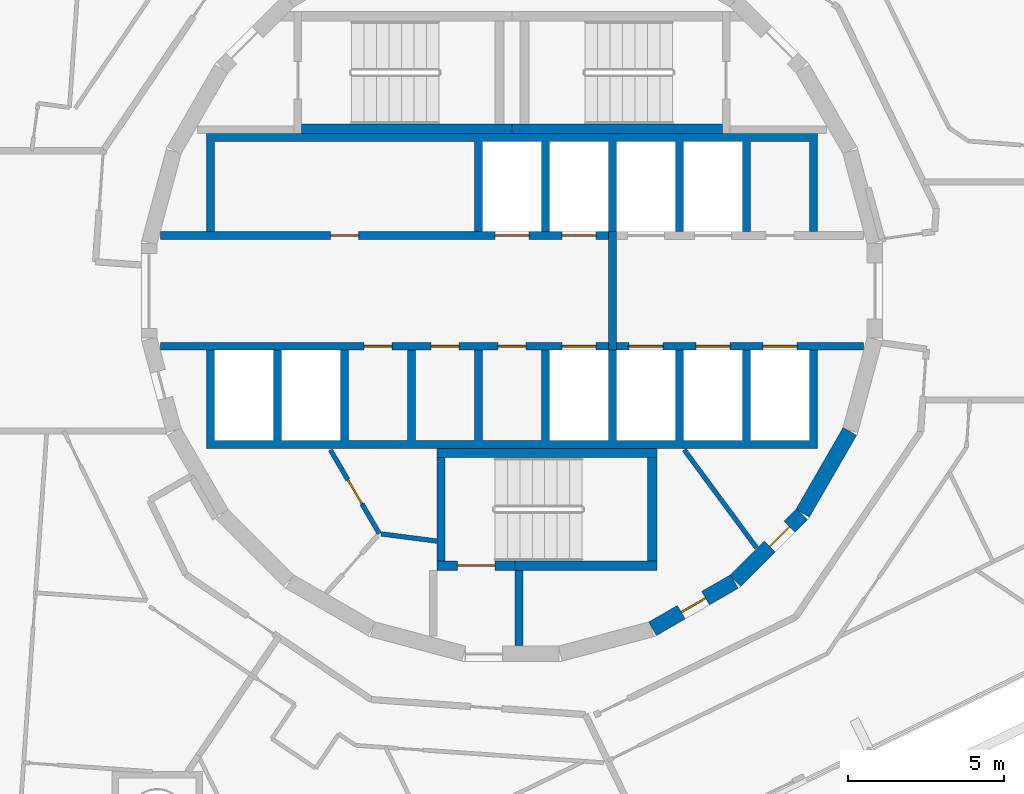
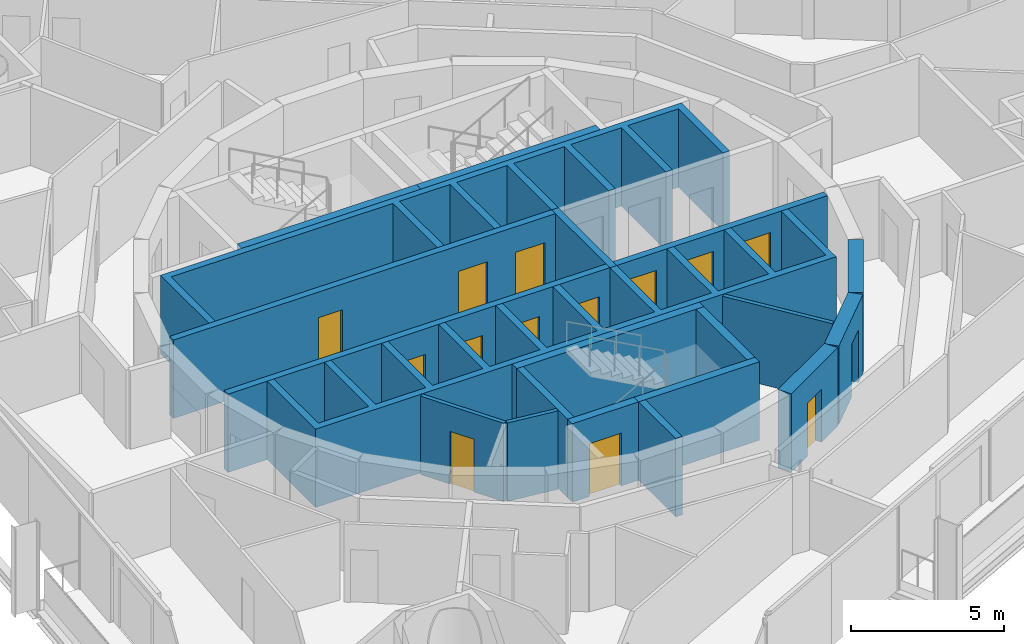
# One storey, part 13 of 18: 20 walls, 14 doors, 14 openings.
"""IFC4 building model written with IfcOpenShell, lengths in metres."""

from ifc_helpers import new_model, si_unit, direction, frame, frame_2d, origin, place, context, subcontext, project, spatial, polyline, rectangle, outline, extrude, material, layer, layer_set, type_object, element, fill, save


model = new_model("IFC4")

# Units and contexts
model_context = context("Model", 3, precision=1e-05, world=origin(), true_north=direction((0.0, 1.0)))
body_context = subcontext(model_context, "Body", "Model", "MODEL_VIEW")
ifc_project = project(units=[si_unit("LENGTHUNIT", "METRE"), si_unit("AREAUNIT", "SQUARE_METRE"), si_unit("VOLUMEUNIT", "CUBIC_METRE"), si_unit("PLANEANGLEUNIT", "RADIAN"), si_unit("MASSUNIT", "GRAM", prefix="KILO")], contexts=[model_context])

# Site, building, storey
site_placement = place(None, origin())
site = spatial("IfcSite", under=ifc_project, at=site_placement, CompositionType="ELEMENT")
building_placement = place(site_placement, origin())
building = spatial("IfcBuilding", under=site, at=building_placement, Name="Spindle Arch Residences", CompositionType="ELEMENT")
storey_placement = place(building_placement, frame((0.0, 0.0, 198.89990234375)))
storey = spatial("IfcBuildingStorey", under=building, at=storey_placement, Name="L50", CompositionType="ELEMENT", Elevation=198.89990234375)

# Wall, opening, door
ifc_material_1 = material(Name="Concrete C50/60", Category="concrete")
ifc_layer_1 = layer(ifc_material_1, 0.5)
ifc_layer_set_1 = layer_set([ifc_layer_1], Name="Core outline wall 500")
wall_type_1 = type_object("IfcWallType", Name="Core outline wall 500", PredefinedType="SHEAR", material=ifc_layer_set_1)
wall_1_placement = place(storey_placement, frame((4.510498046875, -10.84521484375, 0.0), z_axis=(0.0, 0.0, 1.0), x_axis=(0.865975092491, 0.500087131594, 0.0)))
wall_1 = element("IfcWall", 1, at=wall_1_placement, inside=storey, type_object=wall_type_1, Name="Core outline wall 2", PredefinedType="SHEAR", context=body_context, shape_type="SweptSolid", body=[
    extrude(rectangle(XDim=3.03271484375, YDim=0.5, at=frame_2d((1.516357421875, 0.0))), origin(), (0.0, 0.0, 1.0), 3.1201171875),
])
opening_1_placement = place(wall_1_placement, frame((1.06640625, 0.0, 0.0)))
opening_1 = element("IfcOpeningElement", 2, at=opening_1_placement, cuts=wall_1, Name="Opening R5B1-WD08", PredefinedType="OPENING", context=body_context, shape_type="SweptSolid", body=[
    extrude(rectangle(XDim=0.89990234375, YDim=2.10009765625, at=frame_2d((0.449951171875, 1.050048828125))), frame((0.0, 0.260009765625, 0.0), z_axis=(0.0, -1.0, 0.0), x_axis=(1.0, 0.0, 0.0)), (0.0, 0.0, 1.0), 0.52001953125),
])
ifc_material_2 = material(Name="Steel, fire-resisting door", Category="steel")
door_type_1 = type_object("IfcDoorType", Name="Service room door 900x2100", OperationType="SINGLE_SWING_LEFT", PredefinedType="DOOR", material=ifc_material_2)
door_1_placement = place(opening_1_placement, origin())
door_1 = element("IfcDoor", 3, at=door_1_placement, inside=storey, type_object=door_type_1, Name="Service room door R5B1-WD08", OperationType="SINGLE_SWING_RIGHT", OverallHeight=2.10009765625, OverallWidth=0.89990234375, PredefinedType="DOOR", context=body_context, shape_type="SweptSolid", body=[
    extrude(rectangle(XDim=0.89990234375, YDim=2.10009765625, at=frame_2d((0.449951171875, 1.050048828125))), frame((0.0, 0.02490234375, 0.0), z_axis=(0.0, -1.0, 0.0), x_axis=(1.0, 0.0, 0.0)), (0.0, 0.0, 1.0), 0.050048828125),
])
fill(opening_1, door_1)

wall_2_placement = place(storey_placement, frame((7.163818359375, -9.30810546875, 0.0), z_axis=(0.0, 0.0, 1.0), x_axis=(0.707106781187, 0.707106781187, 0.0)))
wall_2 = element("IfcWall", 4, at=wall_2_placement, inside=storey, type_object=wall_type_1, Name="Core outline wall 3", PredefinedType="SHEAR", context=body_context, shape_type="SweptSolid", body=[
    extrude(rectangle(XDim=3.032470703125, YDim=0.5, at=frame_2d((1.51611328125, 0.0))), origin(), (0.0, 0.0, 1.0), 3.1201171875),
])
opening_2_placement = place(wall_2_placement, frame((1.56640625, 0.0, 0.0)))
opening_2 = element("IfcOpeningElement", 5, at=opening_2_placement, cuts=wall_2, Name="Opening R5B1-WD09", PredefinedType="OPENING", context=body_context, shape_type="SweptSolid", body=[
    extrude(rectangle(XDim=0.89990234375, YDim=2.10009765625, at=frame_2d((0.449951171875, 1.050048828125))), frame((0.0, 0.260009765625, 0.0), z_axis=(0.0, -1.0, 0.0), x_axis=(1.0, 0.0, 0.0)), (0.0, 0.0, 1.0), 0.52001953125),
])
door_2_placement = place(opening_2_placement, origin())
door_2 = element("IfcDoor", 6, at=door_2_placement, inside=storey, type_object=door_type_1, Name="Service room door R5B1-WD09", OperationType="SINGLE_SWING_LEFT", OverallHeight=2.10009765625, OverallWidth=0.89990234375, PredefinedType="DOOR", context=body_context, shape_type="SweptSolid", body=[
    extrude(rectangle(XDim=0.89990234375, YDim=2.10009765625, at=frame_2d((0.449951171875, 1.050048828125))), frame((0.0, 0.02490234375, 0.0), z_axis=(0.0, -1.0, 0.0), x_axis=(1.0, 0.0, 0.0)), (0.0, 0.0, 1.0), 0.050048828125),
])
fill(opening_2, door_2)

# Walls
wall_3_placement = place(storey_placement, frame((9.32861328125, -7.13671875, 0.0), z_axis=(0.0, 0.0, 1.0), x_axis=(0.500087131594, 0.865975092491, 0.0)))
element("IfcWall", 7, at=wall_3_placement, inside=storey, type_object=wall_type_1, Name="Core outline wall 4", PredefinedType="SHEAR", context=body_context, shape_type="SweptSolid", body=[
    extrude(rectangle(XDim=3.03271484375, YDim=0.5, at=frame_2d((1.516357421875, 0.0))), origin(), (0.0, 0.0, 1.0), 3.1201171875),
])
ifc_material_3 = material(Name="Concrete C40/50", Category="concrete")
ifc_layer_2 = layer(ifc_material_3, 0.25)
ifc_layer_set_2 = layer_set([ifc_layer_2], Name="Fire-lift lobby wall 250")
wall_type_2 = type_object("IfcWallType", Name="Fire-lift lobby wall 250", PredefinedType="SHEAR", material=ifc_layer_set_2)
wall_4_placement = place(storey_placement, frame((3.22509765625, -1.89990234375, 0.0), z_axis=(0.0, 0.0, 1.0), x_axis=(0.0, 1.0, 0.0)))
element("IfcWall", 8, at=wall_4_placement, inside=storey, type_object=wall_type_2, Name="Fire-fighting lobby partition", PredefinedType="SHEAR", context=body_context, shape_type="SweptSolid", body=[
    extrude(rectangle(XDim=3.7998046875, YDim=0.25, at=frame_2d((1.89990234375, 0.0))), origin(), (0.0, 0.0, 1.0), 3.1201171875),
])

# Wall, openings, doors
ifc_material_4 = material(Name="Concrete C50/60", Category="concrete")
ifc_layer_3 = layer(ifc_material_4, 0.25)
ifc_layer_set_3 = layer_set([ifc_layer_3], Name="Fire-lift shaft wall 250")
wall_type_3 = type_object("IfcWallType", Name="Fire-lift shaft wall 250", PredefinedType="SHEAR", material=ifc_layer_set_3)
wall_5_placement = place(storey_placement, frame((3.35009765625, -1.77490234375, 0.0), z_axis=(0.0, 0.0, 1.0), x_axis=(1.0, 0.0, 0.0)))
wall_5 = element("IfcWall", 9, at=wall_5_placement, inside=storey, type_object=wall_type_3, Name="Lift shaft front wall SE", PredefinedType="SHEAR", context=body_context, shape_type="SweptSolid", body=[
    extrude(rectangle(XDim=7.929931640625, YDim=0.25, at=frame_2d((3.96484375, 0.0))), origin(), (0.0, 0.0, 1.0), 3.1201171875),
])
opening_3_placement = place(wall_5_placement, frame((0.39990234375, 0.0, 0.0)))
opening_3 = element("IfcOpeningElement", 10, at=opening_3_placement, cuts=wall_5, Name="Opening R5B1-FLD01", PredefinedType="OPENING", context=body_context, shape_type="SweptSolid", body=[
    extrude(rectangle(XDim=1.10009765625, YDim=2.39990234375, at=frame_2d((0.550048828125, 1.199951171875))), frame((0.0, 0.135009765625, 0.0), z_axis=(0.0, -1.0, 0.0), x_axis=(1.0, 0.0, 0.0)), (0.0, 0.0, 1.0), 0.27001953125),
])
opening_4_placement = place(wall_5_placement, frame((2.550048828125, 0.0, 0.0)))
opening_4 = element("IfcOpeningElement", 11, at=opening_4_placement, cuts=wall_5, Name="Opening R5B1-FLD02", PredefinedType="OPENING", context=body_context, shape_type="SweptSolid", body=[
    extrude(rectangle(XDim=1.10009765625, YDim=2.39990234375, at=frame_2d((0.550048828125, 1.199951171875))), frame((0.0, 0.135009765625, 0.0), z_axis=(0.0, -1.0, 0.0), x_axis=(1.0, 0.0, 0.0)), (0.0, 0.0, 1.0), 0.27001953125),
])
opening_5_placement = place(wall_5_placement, frame((4.699951171875, 0.0, 0.0)))
opening_5 = element("IfcOpeningElement", 12, at=opening_5_placement, cuts=wall_5, Name="Opening R5B1-FLD03", PredefinedType="OPENING", context=body_context, shape_type="SweptSolid", body=[
    extrude(rectangle(XDim=1.10009765625, YDim=2.39990234375, at=frame_2d((0.550048828125, 1.199951171875))), frame((0.0, 0.135009765625, 0.0), z_axis=(0.0, -1.0, 0.0), x_axis=(1.0, 0.0, 0.0)), (0.0, 0.0, 1.0), 0.27001953125),
])
ifc_material_5 = material(Name="Steel, fire-resisting landing door", Category="steel")
door_type_2 = type_object("IfcDoorType", Name="Fire-fighting lift landing door 1100x2400", OperationType="DOUBLE_DOOR_SLIDING", PredefinedType="DOOR", material=ifc_material_5)
door_3_placement = place(opening_3_placement, origin())
door_3 = element("IfcDoor", 13, at=door_3_placement, inside=storey, type_object=door_type_2, Name="Fire-fighting lift landing door R5B1-FLD01", OperationType="DOUBLE_DOOR_SLIDING", OverallHeight=2.39990234375, OverallWidth=1.10009765625, PredefinedType="DOOR", context=body_context, shape_type="SweptSolid", body=[
    extrude(rectangle(XDim=1.10009765625, YDim=2.39990234375, at=frame_2d((0.550048828125, 1.199951171875))), frame((0.0, 0.02490234375, 0.0), z_axis=(0.0, -1.0, 0.0), x_axis=(1.0, 0.0, 0.0)), (0.0, 0.0, 1.0), 0.050048828125),
])
fill(opening_3, door_3)
door_4_placement = place(opening_4_placement, origin())
door_4 = element("IfcDoor", 14, at=door_4_placement, inside=storey, type_object=door_type_2, Name="Fire-fighting lift landing door R5B1-FLD02", OperationType="DOUBLE_DOOR_SLIDING", OverallHeight=2.39990234375, OverallWidth=1.10009765625, PredefinedType="DOOR", context=body_context, shape_type="SweptSolid", body=[
    extrude(rectangle(XDim=1.10009765625, YDim=2.39990234375, at=frame_2d((0.550048828125, 1.199951171875))), frame((0.0, 0.02490234375, 0.0), z_axis=(0.0, -1.0, 0.0), x_axis=(1.0, 0.0, 0.0)), (0.0, 0.0, 1.0), 0.050048828125),
])
fill(opening_4, door_4)
door_5_placement = place(opening_5_placement, origin())
door_5 = element("IfcDoor", 15, at=door_5_placement, inside=storey, type_object=door_type_2, Name="Fire-fighting lift landing door R5B1-FLD03", OperationType="DOUBLE_DOOR_SLIDING", OverallHeight=2.39990234375, OverallWidth=1.10009765625, PredefinedType="DOOR", context=body_context, shape_type="SweptSolid", body=[
    extrude(rectangle(XDim=1.10009765625, YDim=2.39990234375, at=frame_2d((0.550048828125, 1.199951171875))), frame((0.0, 0.02490234375, 0.0), z_axis=(0.0, -1.0, 0.0), x_axis=(1.0, 0.0, 0.0)), (0.0, 0.0, 1.0), 0.050048828125),
])
fill(opening_5, door_5)

ifc_material_6 = material(Name="Concrete C50/60", Category="concrete")
ifc_layer_4 = layer(ifc_material_6, 0.25)
ifc_layer_set_4 = layer_set([ifc_layer_4], Name="Lift shaft wall 250")
wall_type_4 = type_object("IfcWallType", Name="Lift shaft wall 250", PredefinedType="SHEAR", material=ifc_layer_set_4)
wall_6_placement = place(storey_placement, frame((-11.280029296875, 1.77490234375, 0.0), z_axis=(0.0, 0.0, 1.0), x_axis=(1.0, 0.0, 0.0)))
wall_6 = element("IfcWall", 16, at=wall_6_placement, inside=storey, type_object=wall_type_4, Name="Lift shaft front wall NW", PredefinedType="SHEAR", context=body_context, shape_type="SweptSolid", body=[
    extrude(rectangle(XDim=14.380126953125, YDim=0.25, at=frame_2d((7.18994140625, 0.0))), origin(), (0.0, 0.0, 1.0), 3.1201171875),
])
opening_6_placement = place(wall_6_placement, frame((10.72998046875, 0.0, 0.0)))
opening_6 = element("IfcOpeningElement", 17, at=opening_6_placement, cuts=wall_6, Name="Opening R5B1-LD01", PredefinedType="OPENING", context=body_context, shape_type="SweptSolid", body=[
    extrude(rectangle(XDim=1.10009765625, YDim=2.10009765625, at=frame_2d((0.550048828125, 1.050048828125))), frame((0.0, 0.135009765625, 0.0), z_axis=(0.0, -1.0, 0.0), x_axis=(1.0, 0.0, 0.0)), (0.0, 0.0, 1.0), 0.27001953125),
])
opening_7_placement = place(wall_6_placement, frame((12.8798828125, 0.0, 0.0)))
opening_7 = element("IfcOpeningElement", 18, at=opening_7_placement, cuts=wall_6, Name="Opening R5B1-LD02", PredefinedType="OPENING", context=body_context, shape_type="SweptSolid", body=[
    extrude(rectangle(XDim=1.10009765625, YDim=2.10009765625, at=frame_2d((0.550048828125, 1.050048828125))), frame((0.0, 0.135009765625, 0.0), z_axis=(0.0, -1.0, 0.0), x_axis=(1.0, 0.0, 0.0)), (0.0, 0.0, 1.0), 0.27001953125),
])
opening_8_placement = place(wall_6_placement, frame((5.455078125, 0.0, 0.0)))
opening_8 = element("IfcOpeningElement", 19, at=opening_8_placement, cuts=wall_6, Name="Opening R5B1-WD01", PredefinedType="OPENING", context=body_context, shape_type="SweptSolid", body=[
    extrude(rectangle(XDim=0.89990234375, YDim=2.10009765625, at=frame_2d((0.449951171875, 1.050048828125))), frame((0.0, 0.135009765625, 0.0), z_axis=(0.0, -1.0, 0.0), x_axis=(1.0, 0.0, 0.0)), (0.0, 0.0, 1.0), 0.27001953125),
])
ifc_material_7 = material(Name="Steel, fire-resisting landing door", Category="steel")
door_type_3 = type_object("IfcDoorType", Name="Lift landing door 1100x2100", OperationType="DOUBLE_DOOR_SLIDING", PredefinedType="DOOR", material=ifc_material_7)
door_6_placement = place(opening_6_placement, origin())
door_6 = element("IfcDoor", 20, at=door_6_placement, inside=storey, type_object=door_type_3, Name="Lift landing door R5B1-LD01", OperationType="DOUBLE_DOOR_SLIDING", OverallHeight=2.10009765625, OverallWidth=1.10009765625, PredefinedType="DOOR", context=body_context, shape_type="SweptSolid", body=[
    extrude(rectangle(XDim=1.10009765625, YDim=2.10009765625, at=frame_2d((0.550048828125, 1.050048828125))), frame((0.0, 0.02490234375, 0.0), z_axis=(0.0, -1.0, 0.0), x_axis=(1.0, 0.0, 0.0)), (0.0, 0.0, 1.0), 0.050048828125),
])
fill(opening_6, door_6)
door_7_placement = place(opening_7_placement, origin())
door_7 = element("IfcDoor", 21, at=door_7_placement, inside=storey, type_object=door_type_3, Name="Lift landing door R5B1-LD02", OperationType="DOUBLE_DOOR_SLIDING", OverallHeight=2.10009765625, OverallWidth=1.10009765625, PredefinedType="DOOR", context=body_context, shape_type="SweptSolid", body=[
    extrude(rectangle(XDim=1.10009765625, YDim=2.10009765625, at=frame_2d((0.550048828125, 1.050048828125))), frame((0.0, 0.02490234375, 0.0), z_axis=(0.0, -1.0, 0.0), x_axis=(1.0, 0.0, 0.0)), (0.0, 0.0, 1.0), 0.050048828125),
])
fill(opening_7, door_7)
door_8_placement = place(opening_8_placement, origin())
door_8 = element("IfcDoor", 22, at=door_8_placement, inside=storey, type_object=door_type_1, Name="Service room door R5B1-WD01", OperationType="SINGLE_SWING_LEFT", OverallHeight=2.10009765625, OverallWidth=0.89990234375, PredefinedType="DOOR", context=body_context, shape_type="SweptSolid", body=[
    extrude(rectangle(XDim=0.89990234375, YDim=2.10009765625, at=frame_2d((0.449951171875, 1.050048828125))), frame((0.0, 0.02490234375, 0.0), z_axis=(0.0, -1.0, 0.0), x_axis=(1.0, 0.0, 0.0)), (0.0, 0.0, 1.0), 0.050048828125),
])
fill(opening_8, door_8)

wall_7_placement = place(storey_placement, frame((-11.280029296875, -1.77490234375, 0.0), z_axis=(0.0, 0.0, 1.0), x_axis=(1.0, 0.0, 0.0)))
wall_7 = element("IfcWall", 23, at=wall_7_placement, inside=storey, type_object=wall_type_4, Name="Lift shaft front wall SW", PredefinedType="SHEAR", context=body_context, shape_type="SweptSolid", body=[
    extrude(rectangle(XDim=14.380126953125, YDim=0.25, at=frame_2d((7.18994140625, 0.0))), origin(), (0.0, 0.0, 1.0), 3.1201171875),
])
opening_9_placement = place(wall_7_placement, frame((12.8798828125, 0.0, 0.0)))
opening_9 = element("IfcOpeningElement", 24, at=opening_9_placement, cuts=wall_7, Name="Opening R5B1-LD03", PredefinedType="OPENING", context=body_context, shape_type="SweptSolid", body=[
    extrude(rectangle(XDim=1.10009765625, YDim=2.10009765625, at=frame_2d((0.550048828125, 1.050048828125))), frame((0.0, 0.135009765625, 0.0), z_axis=(0.0, -1.0, 0.0), x_axis=(1.0, 0.0, 0.0)), (0.0, 0.0, 1.0), 0.27001953125),
])
opening_10_placement = place(wall_7_placement, frame((6.530029296875, 0.0, 0.0)))
opening_10 = element("IfcOpeningElement", 25, at=opening_10_placement, cuts=wall_7, Name="Opening R5B1-WD03", PredefinedType="OPENING", context=body_context, shape_type="SweptSolid", body=[
    extrude(rectangle(XDim=0.89990234375, YDim=2.10009765625, at=frame_2d((0.449951171875, 1.050048828125))), frame((0.0, 0.135009765625, 0.0), z_axis=(0.0, -1.0, 0.0), x_axis=(1.0, 0.0, 0.0)), (0.0, 0.0, 1.0), 0.27001953125),
])
opening_11_placement = place(wall_7_placement, frame((8.679931640625, 0.0, 0.0)))
opening_11 = element("IfcOpeningElement", 26, at=opening_11_placement, cuts=wall_7, Name="Opening R5B1-WD04", PredefinedType="OPENING", context=body_context, shape_type="SweptSolid", body=[
    extrude(rectangle(XDim=0.89990234375, YDim=2.10009765625, at=frame_2d((0.449951171875, 1.050048828125))), frame((0.0, 0.135009765625, 0.0), z_axis=(0.0, -1.0, 0.0), x_axis=(1.0, 0.0, 0.0)), (0.0, 0.0, 1.0), 0.27001953125),
])
opening_12_placement = place(wall_7_placement, frame((10.830078125, 0.0, 0.0)))
opening_12 = element("IfcOpeningElement", 27, at=opening_12_placement, cuts=wall_7, Name="Opening R5B1-WD05", PredefinedType="OPENING", context=body_context, shape_type="SweptSolid", body=[
    extrude(rectangle(XDim=0.89990234375, YDim=2.10009765625, at=frame_2d((0.449951171875, 1.050048828125))), frame((0.0, 0.135009765625, 0.0), z_axis=(0.0, -1.0, 0.0), x_axis=(1.0, 0.0, 0.0)), (0.0, 0.0, 1.0), 0.27001953125),
])
door_9_placement = place(opening_9_placement, origin())
door_9 = element("IfcDoor", 28, at=door_9_placement, inside=storey, type_object=door_type_3, Name="Lift landing door R5B1-LD03", OperationType="DOUBLE_DOOR_SLIDING", OverallHeight=2.10009765625, OverallWidth=1.10009765625, PredefinedType="DOOR", context=body_context, shape_type="SweptSolid", body=[
    extrude(rectangle(XDim=1.10009765625, YDim=2.10009765625, at=frame_2d((0.550048828125, 1.050048828125))), frame((0.0, 0.02490234375, 0.0), z_axis=(0.0, -1.0, 0.0), x_axis=(1.0, 0.0, 0.0)), (0.0, 0.0, 1.0), 0.050048828125),
])
fill(opening_9, door_9)
door_10_placement = place(opening_10_placement, origin())
door_10 = element("IfcDoor", 29, at=door_10_placement, inside=storey, type_object=door_type_1, Name="Service room door R5B1-WD03", OperationType="SINGLE_SWING_LEFT", OverallHeight=2.10009765625, OverallWidth=0.89990234375, PredefinedType="DOOR", context=body_context, shape_type="SweptSolid", body=[
    extrude(rectangle(XDim=0.89990234375, YDim=2.10009765625, at=frame_2d((0.449951171875, 1.050048828125))), frame((0.0, 0.02490234375, 0.0), z_axis=(0.0, -1.0, 0.0), x_axis=(1.0, 0.0, 0.0)), (0.0, 0.0, 1.0), 0.050048828125),
])
fill(opening_10, door_10)
door_11_placement = place(opening_11_placement, origin())
door_11 = element("IfcDoor", 30, at=door_11_placement, inside=storey, type_object=door_type_1, Name="Service room door R5B1-WD04", OperationType="SINGLE_SWING_RIGHT", OverallHeight=2.10009765625, OverallWidth=0.89990234375, PredefinedType="DOOR", context=body_context, shape_type="SweptSolid", body=[
    extrude(rectangle(XDim=0.89990234375, YDim=2.10009765625, at=frame_2d((0.449951171875, 1.050048828125))), frame((0.0, 0.02490234375, 0.0), z_axis=(0.0, -1.0, 0.0), x_axis=(1.0, 0.0, 0.0)), (0.0, 0.0, 1.0), 0.050048828125),
])
fill(opening_11, door_11)
door_12_placement = place(opening_12_placement, origin())
door_12 = element("IfcDoor", 31, at=door_12_placement, inside=storey, type_object=door_type_1, Name="Service room door R5B1-WD05", OperationType="SINGLE_SWING_LEFT", OverallHeight=2.10009765625, OverallWidth=0.89990234375, PredefinedType="DOOR", context=body_context, shape_type="SweptSolid", body=[
    extrude(rectangle(XDim=0.89990234375, YDim=2.10009765625, at=frame_2d((0.449951171875, 1.050048828125))), frame((0.0, 0.02490234375, 0.0), z_axis=(0.0, -1.0, 0.0), x_axis=(1.0, 0.0, 0.0)), (0.0, 0.0, 1.0), 0.050048828125),
])
fill(opening_12, door_12)

# Walls
ifc_material_8 = material(Name="Concrete C50/60", Category="concrete")
wall_type_5 = type_object("IfcWallType", Name="Lift shaft wall profile", PredefinedType="SHEAR", material=ifc_material_8)
wall_8_placement = place(storey_placement, origin())
element("IfcWall", 32, at=wall_8_placement, inside=storey, type_object=wall_type_5, Name="Lift shaft walls N", PredefinedType="SHEAR", context=body_context, shape_type="SweptSolid", body=[
    extrude(outline(polyline([(-9.550048828125, 4.800048828125), (-1.199951171875, 4.800048828125), (-1.199951171875, 1.89990234375), (-0.949951171875, 1.89990234375), (-0.949951171875, 4.800048828125), (0.949951171875, 4.800048828125), (0.949951171875, 1.89990234375), (1.199951171875, 1.89990234375), (1.199951171875, 4.800048828125), (3.10009765625, 4.800048828125), (3.10009765625, 1.89990234375), (3.35009765625, 1.89990234375), (3.35009765625, 4.800048828125), (5.25, 4.800048828125), (5.25, 1.89990234375), (5.5, 1.89990234375), (5.5, 4.800048828125), (7.39990234375, 4.800048828125), (7.39990234375, 1.89990234375), (7.64990234375, 1.89990234375), (7.64990234375, 4.800048828125), (9.550048828125, 4.800048828125), (9.550048828125, 1.89990234375), (9.800048828125, 1.89990234375), (9.800048828125, 4.800048828125), (9.800048828125, 5.050048828125), (-9.800048828125, 5.050048828125), (-9.800048828125, 4.800048828125), (-9.800048828125, 1.89990234375), (-9.550048828125, 1.89990234375), (-9.550048828125, 4.800048828125)])), origin(), (0.0, 0.0, 1.0), 3.1201171875),
])
wall_9_placement = place(storey_placement, origin())
element("IfcWall", 33, at=wall_9_placement, inside=storey, type_object=wall_type_5, Name="Lift shaft walls S", PredefinedType="SHEAR", context=body_context, shape_type="SweptSolid", body=[
    extrude(outline(polyline([(9.800048828125, -5.050048828125), (9.800048828125, -4.800048828125), (9.800048828125, -1.89990234375), (9.550048828125, -1.89990234375), (9.550048828125, -4.800048828125), (7.64990234375, -4.800048828125), (7.64990234375, -1.89990234375), (7.39990234375, -1.89990234375), (7.39990234375, -4.800048828125), (5.5, -4.800048828125), (5.5, -1.89990234375), (5.25, -1.89990234375), (5.25, -4.800048828125), (3.35009765625, -4.800048828125), (3.35009765625, -1.89990234375), (3.10009765625, -1.89990234375), (3.10009765625, -4.800048828125), (1.199951171875, -4.800048828125), (1.199951171875, -1.89990234375), (0.949951171875, -1.89990234375), (0.949951171875, -4.800048828125), (-0.949951171875, -4.800048828125), (-0.949951171875, -1.89990234375), (-1.199951171875, -1.89990234375), (-1.199951171875, -4.800048828125), (-3.10009765625, -4.800048828125), (-3.10009765625, -1.89990234375), (-3.35009765625, -1.89990234375), (-3.35009765625, -4.800048828125), (-5.25, -4.800048828125), (-5.25, -1.89990234375), (-5.5, -1.89990234375), (-5.5, -4.800048828125), (-7.39990234375, -4.800048828125), (-7.39990234375, -1.89990234375), (-7.64990234375, -1.89990234375), (-7.64990234375, -4.800048828125), (-9.550048828125, -4.800048828125), (-9.550048828125, -1.89990234375), (-9.800048828125, -1.89990234375), (-9.800048828125, -4.800048828125), (-9.800048828125, -5.050048828125), (9.800048828125, -5.050048828125)])), origin(), (0.0, 0.0, 1.0), 3.1201171875),
])
ifc_material_9 = material(Name="Concrete C25/30", Category="concrete")
ifc_layer_5 = layer(ifc_material_9, 0.14990234375)
ifc_layer_set_5 = layer_set([ifc_layer_5], Name="Service room partition 150")
wall_type_6 = type_object("IfcWallType", Name="Service room partition 150", PredefinedType="PARTITIONING", material=ifc_layer_set_5)
wall_10_placement = place(storey_placement, frame((5.528076171875, -5.098388671875, 0.0), z_axis=(0.0, 0.0, 1.0), x_axis=(0.594034318069, -0.804439698769, 0.0)))
element("IfcWall", 34, at=wall_10_placement, inside=storey, type_object=wall_type_6, Name="Core service room partition", PredefinedType="PARTITIONING", context=body_context, shape_type="SweptSolid", body=[
    extrude(rectangle(XDim=3.90673828125, YDim=0.14990234375, at=frame_2d((1.953369140625, 0.0))), origin(), (0.0, 0.0, 1.0), 3.1201171875),
])

# Wall, opening, door
wall_11_placement = place(storey_placement, frame((-5.8291015625, -5.101806640625, 0.0), z_axis=(0.0, 0.0, 1.0), x_axis=(0.504480008384, -0.863423373057, 0.0)))
wall_11 = element("IfcWall", 35, at=wall_11_placement, inside=storey, type_object=wall_type_6, Name="Core service room partition", PredefinedType="PARTITIONING", context=body_context, shape_type="SweptSolid", body=[
    extrude(rectangle(XDim=3.115234375, YDim=0.14990234375, at=frame_2d((1.5576171875, 0.0))), origin(), (0.0, 0.0, 1.0), 3.1201171875),
])
opening_13_placement = place(wall_11_placement, frame((1.107421875, 0.0, 0.0)))
opening_13 = element("IfcOpeningElement", 36, at=opening_13_placement, cuts=wall_11, Name="Opening R5B1-WD07", PredefinedType="OPENING", context=body_context, shape_type="SweptSolid", body=[
    extrude(rectangle(XDim=0.89990234375, YDim=2.10009765625, at=frame_2d((0.449951171875, 1.050048828125))), frame((0.0, 0.0849609375, 0.0), z_axis=(0.0, -1.0, 0.0), x_axis=(1.0, 0.0, 0.0)), (0.0, 0.0, 1.0), 0.169921875),
])
door_13_placement = place(opening_13_placement, origin())
door_13 = element("IfcDoor", 37, at=door_13_placement, inside=storey, type_object=door_type_1, Name="Service room door R5B1-WD07", OperationType="SINGLE_SWING_LEFT", OverallHeight=2.10009765625, OverallWidth=0.89990234375, PredefinedType="DOOR", context=body_context, shape_type="SweptSolid", body=[
    extrude(rectangle(XDim=0.89990234375, YDim=2.10009765625, at=frame_2d((0.449951171875, 1.050048828125))), frame((0.0, 0.02490234375, 0.0), z_axis=(0.0, -1.0, 0.0), x_axis=(1.0, 0.0, 0.0)), (0.0, 0.0, 1.0), 0.050048828125),
])
fill(opening_13, door_13)

# Walls
wall_12_placement = place(storey_placement, frame((-4.197998046875, -7.79931640625, 0.0), z_axis=(0.0, 0.0, 1.0), x_axis=(0.991686747293, -0.128675542523, 0.0)))
element("IfcWall", 38, at=wall_12_placement, inside=storey, type_object=wall_type_6, Name="Core service room partition", PredefinedType="PARTITIONING", context=body_context, shape_type="SweptSolid", body=[
    extrude(rectangle(XDim=1.79296875, YDim=0.14990234375, at=frame_2d((0.896484375, 0.0))), origin(), (0.0, 0.0, 1.0), 3.1201171875),
])
ifc_material_10 = material(Name="Concrete C40/50", Category="concrete")
ifc_layer_6 = layer(ifc_material_10, 0.25)
ifc_layer_set_6 = layer_set([ifc_layer_6], Name="Stair airlock wall 250")
wall_type_7 = type_object("IfcWallType", Name="Stair airlock wall 250", PredefinedType="SHEAR", material=ifc_layer_set_6)
wall_13_placement = place(storey_placement, frame((0.22509765625, -8.969970703125, 0.0), z_axis=(0.0, 0.0, 1.0), x_axis=(0.0, -1.0, 0.0)))
element("IfcWall", 39, at=wall_13_placement, inside=storey, type_object=wall_type_7, Name="Stair ST-3 airlock wall E", PredefinedType="SHEAR", context=body_context, shape_type="SweptSolid", body=[
    extrude(rectangle(XDim=2.409912109375, YDim=0.25, at=frame_2d((1.205078125, 0.0))), origin(), (0.0, 0.0, 1.0), 3.1201171875),
])
ifc_material_11 = material(Name="Concrete C50/60", Category="concrete")
ifc_layer_7 = layer(ifc_material_11, 0.25)
ifc_layer_set_7 = layer_set([ifc_layer_7], Name="Stair enclosure wall 250")
wall_type_8 = type_object("IfcWallType", Name="Stair enclosure wall 250", PredefinedType="SHEAR", material=ifc_layer_set_7)
wall_14_placement = place(storey_placement, frame((-2.27490234375, -8.669921875, 0.0), z_axis=(0.0, 0.0, 1.0), x_axis=(0.0, 1.0, 0.0)))
element("IfcWall", 40, at=wall_14_placement, inside=storey, type_object=wall_type_8, Name="Stair ST-3 enclosure wall W", PredefinedType="SHEAR", context=body_context, shape_type="SweptSolid", body=[
    extrude(rectangle(XDim=3.31982421875, YDim=0.25, at=frame_2d((1.659912109375, 0.0))), origin(), (0.0, 0.0, 1.0), 3.1201171875),
])
ifc_material_12 = material(Name="Concrete C50/60", Category="concrete")
ifc_layer_8 = layer(ifc_material_12, 0.300048828125)
ifc_layer_set_8 = layer_set([ifc_layer_8], Name="Stair enclosure wall 300")
wall_type_9 = type_object("IfcWallType", Name="Stair enclosure wall 300", PredefinedType="SHEAR", material=ifc_layer_set_8)
for number, where, z_axis, x_axis, name in (
    (41, (0.0, 5.199951171875, 0.0), (0.0, 0.0, 1.0), (1.0, 0.0, 0.0), "Stair ST-1 enclosure wall S"),
    (42, (-6.75, 5.199951171875, 0.0), (0.0, 0.0, 1.0), (1.0, 0.0, 0.0), "Stair ST-2 enclosure wall S"),
):
    element("IfcWall", number, at=place(storey_placement, frame(where, z_axis=z_axis, x_axis=x_axis)), inside=storey, type_object=wall_type_9, Name=name, PredefinedType="SHEAR", context=body_context, shape_type="SweptSolid", body=[
        extrude(rectangle(XDim=6.75, YDim=0.300048828125, at=frame_2d((3.375, 0.0))), origin(), (0.0, 0.0, 1.0), 3.1201171875),
    ])
wall_15_placement = place(storey_placement, frame((-2.39990234375, -5.199951171875, 0.0), z_axis=(0.0, 0.0, 1.0), x_axis=(1.0, 0.0, 0.0)))
element("IfcWall", 43, at=wall_15_placement, inside=storey, type_object=wall_type_9, Name="Stair ST-3 enclosure wall N", PredefinedType="SHEAR", context=body_context, shape_type="SweptSolid", body=[
    extrude(rectangle(XDim=7.0498046875, YDim=0.300048828125, at=frame_2d((3.52490234375, 0.0))), origin(), (0.0, 0.0, 1.0), 3.1201171875),
])
wall_16_placement = place(storey_placement, frame((4.5, -8.669921875, 0.0), z_axis=(0.0, 0.0, 1.0), x_axis=(0.0, 1.0, 0.0)))
element("IfcWall", 44, at=wall_16_placement, inside=storey, type_object=wall_type_9, Name="Stair ST-3 enclosure wall E", PredefinedType="SHEAR", context=body_context, shape_type="SweptSolid", body=[
    extrude(rectangle(XDim=3.31982421875, YDim=0.300048828125, at=frame_2d((1.659912109375, 0.0))), origin(), (0.0, 0.0, 1.0), 3.1201171875),
])
wall_17_placement = place(storey_placement, frame((0.10009765625, -8.820068359375, 0.0), z_axis=(0.0, 0.0, 1.0), x_axis=(1.0, 0.0, 0.0)))
element("IfcWall", 45, at=wall_17_placement, inside=storey, type_object=wall_type_9, Name="Stair ST-3 enclosure wall S", PredefinedType="SHEAR", context=body_context, shape_type="SweptSolid", body=[
    extrude(rectangle(XDim=4.5498046875, YDim=0.300048828125, at=frame_2d((2.27490234375, 0.0))), origin(), (0.0, 0.0, 1.0), 3.1201171875),
])

# Wall, opening, door
wall_18_placement = place(storey_placement, frame((-2.39990234375, -8.820068359375, 0.0), z_axis=(0.0, 0.0, 1.0), x_axis=(1.0, 0.0, 0.0)))
wall_18 = element("IfcWall", 46, at=wall_18_placement, inside=storey, type_object=wall_type_9, Name="Stair ST-3 door wall", PredefinedType="SHEAR", context=body_context, shape_type="SweptSolid", body=[
    extrude(rectangle(XDim=2.5, YDim=0.300048828125, at=frame_2d((1.25, 0.0))), origin(), (0.0, 0.0, 1.0), 3.1201171875),
])
opening_14_placement = place(wall_18_placement, frame((0.64990234375, 0.0, 0.0)))
opening_14 = element("IfcOpeningElement", 47, at=opening_14_placement, cuts=wall_18, Name="Opening R5B1-SD03", PredefinedType="OPENING", context=body_context, shape_type="SweptSolid", body=[
    extrude(rectangle(XDim=1.199951171875, YDim=2.10009765625, at=frame_2d((0.60009765625, 1.050048828125))), frame((0.0, 0.16015625, 0.0), z_axis=(0.0, -1.0, 0.0), x_axis=(1.0, 0.0, 0.0)), (0.0, 0.0, 1.0), 0.320068359375),
])
ifc_material_13 = material(Name="Steel, fire-resisting door", Category="steel")
door_type_4 = type_object("IfcDoorType", Name="Stair door 1200x2100", OperationType="SINGLE_SWING_RIGHT", PredefinedType="DOOR", material=ifc_material_13)
door_14_placement = place(opening_14_placement, origin())
door_14 = element("IfcDoor", 48, at=door_14_placement, inside=storey, type_object=door_type_4, Name="Stair door R5B1-SD03", OperationType="SINGLE_SWING_LEFT", OverallHeight=2.10009765625, OverallWidth=1.199951171875, PredefinedType="DOOR", context=body_context, shape_type="SweptSolid", body=[
    extrude(rectangle(XDim=1.199951171875, YDim=2.10009765625, at=frame_2d((0.60009765625, 1.050048828125))), frame((0.0, 0.02490234375, 0.0), z_axis=(0.0, -1.0, 0.0), x_axis=(1.0, 0.0, 0.0)), (0.0, 0.0, 1.0), 0.050048828125),
])
fill(opening_14, door_14)

save(model, "model.ifc")
